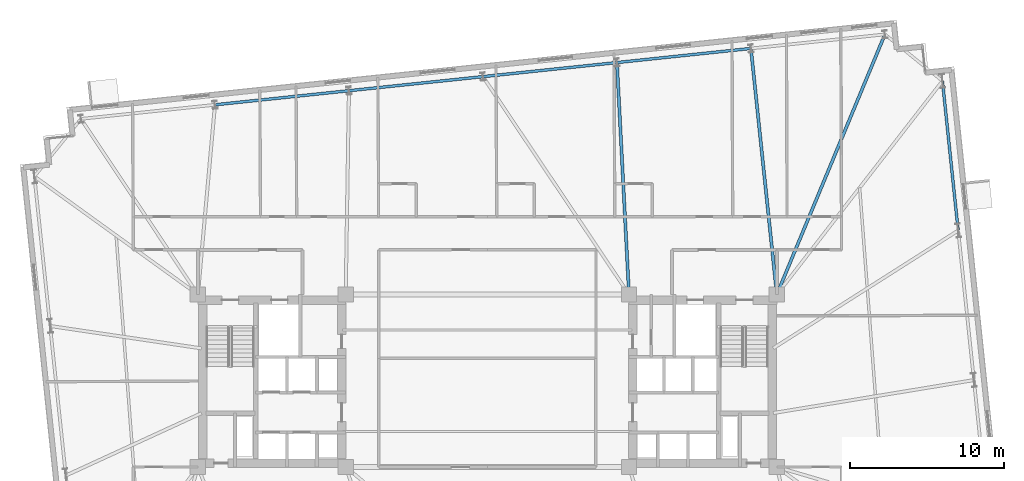
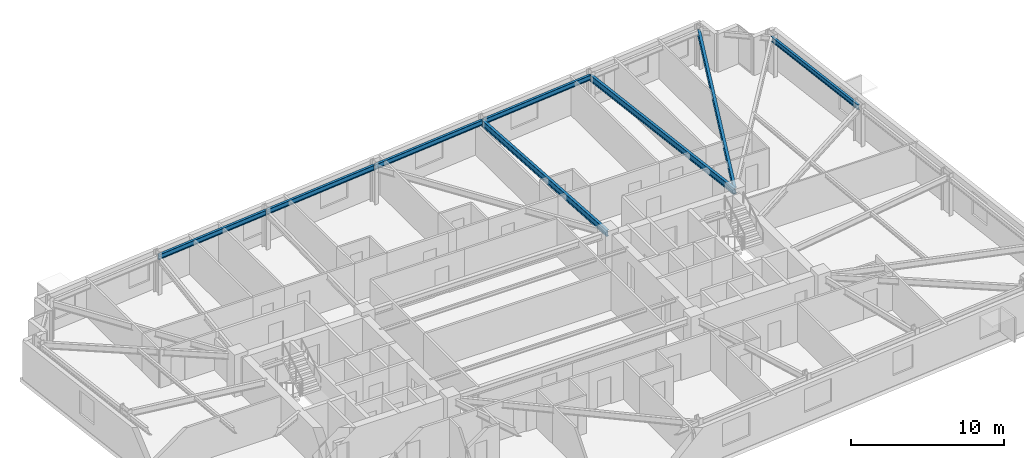
# One storey, part 9 of 18: 8 beams.
"""IFC4 building model written with IfcOpenShell, lengths in metres."""

from ifc_helpers import new_model, si_unit, direction, frame, origin, origin_2d, place, context, subcontext, project, spatial, i_section, extrude, material, material_profile, profile_set, type_object, element, save


model = new_model("IFC4")

# Units and contexts
model_context = context("Model", 3, precision=1e-05, world=origin(), true_north=direction((0.0, 1.0)))
body_context = subcontext(model_context, "Body", "Model", "MODEL_VIEW")
ifc_project = project(units=[si_unit("LENGTHUNIT", "METRE"), si_unit("AREAUNIT", "SQUARE_METRE"), si_unit("VOLUMEUNIT", "CUBIC_METRE"), si_unit("PLANEANGLEUNIT", "RADIAN"), si_unit("MASSUNIT", "GRAM", prefix="KILO")], contexts=[model_context])

# Site, building, storey
site_placement = place(None, origin())
site = spatial("IfcSite", under=ifc_project, at=site_placement, CompositionType="ELEMENT")
building_placement = place(site_placement, origin())
building = spatial("IfcBuilding", under=site, at=building_placement, Name="Qobustan Lattice House", CompositionType="ELEMENT")
storey_placement = place(building_placement, frame((0.0, 0.0, 119.199951171875)))
storey = spatial("IfcBuildingStorey", under=building, at=storey_placement, Name="L33", CompositionType="ELEMENT", Elevation=119.199951171875)

# Beams
ifc_material_1 = material(Name="Steel S355", Category="steel")
ifc_material_profile_1 = material_profile(ifc_material_1, i_section(OverallWidth=0.199951171875, OverallDepth=0.5, WebThickness=0.01025390625, FlangeThickness=0.01611328125, FilletRadius=0.02099609375, at=origin_2d()), Name="IPE500")
ifc_profile_set_1 = profile_set([ifc_material_profile_1], Name="Steel S355")
beam_type_1 = type_object("IfcBeamType", Name="BM-FLG-IPE500", PredefinedType="USERDEFINED", material=ifc_profile_set_1)
beam_1_placement = place(storey_placement, frame((8.41650390625, 20.640625, 2.795166015625), z_axis=(0.052023629628, -0.998645854125, 0.0), x_axis=(0.998645854125, 0.052023629628, 0.0)))
element("IfcBeam", 1, at=beam_1_placement, inside=storey, type_object=beam_type_1, Name="L33 primary floor girder RAD-N3", ObjectType="GIRDER", PredefinedType="USERDEFINED", context=body_context, shape_type="SweptSolid", body=[
    extrude(i_section(OverallWidth=0.199951171875, OverallDepth=0.5, WebThickness=0.01025390625, FlangeThickness=0.01611328125, FilletRadius=0.02099609375, at=origin_2d()), origin(), (0.0, 0.0, 1.0), 15.035888671875),
])
beam_2_placement = place(storey_placement, frame((17.1201171875, 21.555419921875, 2.795166015625), z_axis=(0.104706999053, -0.994503114298, 0.0), x_axis=(0.994503114298, 0.104706999053, 0.0)))
element("IfcBeam", 2, at=beam_2_placement, inside=storey, type_object=beam_type_1, Name="L33 primary floor girder RAD-N2", ObjectType="GIRDER", PredefinedType="USERDEFINED", context=body_context, shape_type="SweptSolid", body=[
    extrude(i_section(OverallWidth=0.199951171875, OverallDepth=0.5, WebThickness=0.01025390625, FlangeThickness=0.01611328125, FilletRadius=0.02099609375, at=origin_2d()), origin(), (0.0, 0.0, 1.0), 16.0185546875),
])
beam_3_placement = place(storey_placement, frame((25.809814453125, 22.471923828125, 2.795166015625), z_axis=(-0.383675501465, -0.923467979724, 0.0), x_axis=(0.923467979724, -0.383675501465, 0.0)))
element("IfcBeam", 3, at=beam_3_placement, inside=storey, type_object=beam_type_1, Name="L33 primary floor girder RAD-N1E", ObjectType="GIRDER", PredefinedType="USERDEFINED", context=body_context, shape_type="SweptSolid", body=[
    extrude(i_section(OverallWidth=0.199951171875, OverallDepth=0.5, WebThickness=0.01025390625, FlangeThickness=0.01611328125, FilletRadius=0.02099609375, at=origin_2d()), origin(), (0.0, 0.0, 1.0), 18.2451171875),
])
ifc_material_2 = material(Name="Steel S355", Category="steel")
ifc_material_profile_2 = material_profile(ifc_material_2, i_section(OverallWidth=0.179931640625, OverallDepth=0.39990234375, WebThickness=0.008544921875, FlangeThickness=0.013427734375, FilletRadius=0.02099609375, at=origin_2d()), Name="IPE400")
ifc_profile_set_2 = profile_set([ifc_material_profile_2], Name="Steel S355")
beam_type_2 = type_object("IfcBeamType", Name="BM-SPD-IPE400", PredefinedType="SPANDREL", material=ifc_profile_set_2)
beam_4_placement = place(storey_placement, frame((30.574462890625, 9.78076171875, 2.844970703125), z_axis=(-0.104525214252, 0.994522236848, 0.0), x_axis=(-0.994522236848, -0.104525214252, 0.0)))
element("IfcBeam", 4, at=beam_4_placement, inside=storey, type_object=beam_type_2, Name="L33 perimeter spandrel E3-E4", PredefinedType="SPANDREL", context=body_context, shape_type="SweptSolid", body=[
    extrude(i_section(OverallWidth=0.179931640625, OverallDepth=0.39990234375, WebThickness=0.008544921875, FlangeThickness=0.013427734375, FilletRadius=0.02099609375, at=origin_2d()), origin(), (0.0, 0.0, 1.0), 9.716552734375),
])
beam_5_placement = place(storey_placement, frame((17.092529296875, 21.577880859375, 2.844970703125), z_axis=(-0.994518668742, -0.104559158006, 0.0), x_axis=(0.104559158006, -0.994518668742, 0.0)))
element("IfcBeam", 5, at=beam_5_placement, inside=storey, type_object=beam_type_2, Name="L33 perimeter spandrel N2-N3", PredefinedType="SPANDREL", context=body_context, shape_type="SweptSolid", body=[
    extrude(i_section(OverallWidth=0.179931640625, OverallDepth=0.39990234375, WebThickness=0.008544921875, FlangeThickness=0.013427734375, FilletRadius=0.02099609375, at=origin_2d()), origin(), (0.0, 0.0, 1.0), 8.699951171875),
])
beam_6_placement = place(storey_placement, frame((8.390380859375, 20.6630859375, 2.844970703125), z_axis=(-0.994521279781, -0.10453432002, 0.0), x_axis=(0.10453432002, -0.994521279781, 0.0)))
element("IfcBeam", 6, at=beam_6_placement, inside=storey, type_object=beam_type_2, Name="L33 perimeter spandrel N3-N4", PredefinedType="SPANDREL", context=body_context, shape_type="SweptSolid", body=[
    extrude(i_section(OverallWidth=0.179931640625, OverallDepth=0.39990234375, WebThickness=0.008544921875, FlangeThickness=0.013427734375, FilletRadius=0.02099609375, at=origin_2d()), origin(), (0.0, 0.0, 1.0), 8.69970703125),
])
for number, where, z_axis, x_axis, name in (
    (7, (-0.3115234375, 19.74853515625, 2.844970703125), (-0.994521586424, -0.104531402636, 0.0), (0.104531402636, -0.994521586424, 0.0), "L33 perimeter spandrel N4-N5"),
    (8, (-9.013671875, 18.833984375, 2.844970703125), (-0.994521586424, -0.104531402636, 0.0), (0.104531402636, -0.994521586424, 0.0), "L33 perimeter spandrel N5-N6"),
):
    element("IfcBeam", number, at=place(storey_placement, frame(where, z_axis=z_axis, x_axis=x_axis)), inside=storey, type_object=beam_type_2, Name=name, PredefinedType="SPANDREL", context=body_context, shape_type="SweptSolid", body=[
        extrude(i_section(OverallWidth=0.179931640625, OverallDepth=0.39990234375, WebThickness=0.008544921875, FlangeThickness=0.013427734375, FilletRadius=0.02099609375, at=origin_2d()), origin(), (0.0, 0.0, 1.0), 8.699951171875),
    ])

save(model, "model.ifc")
